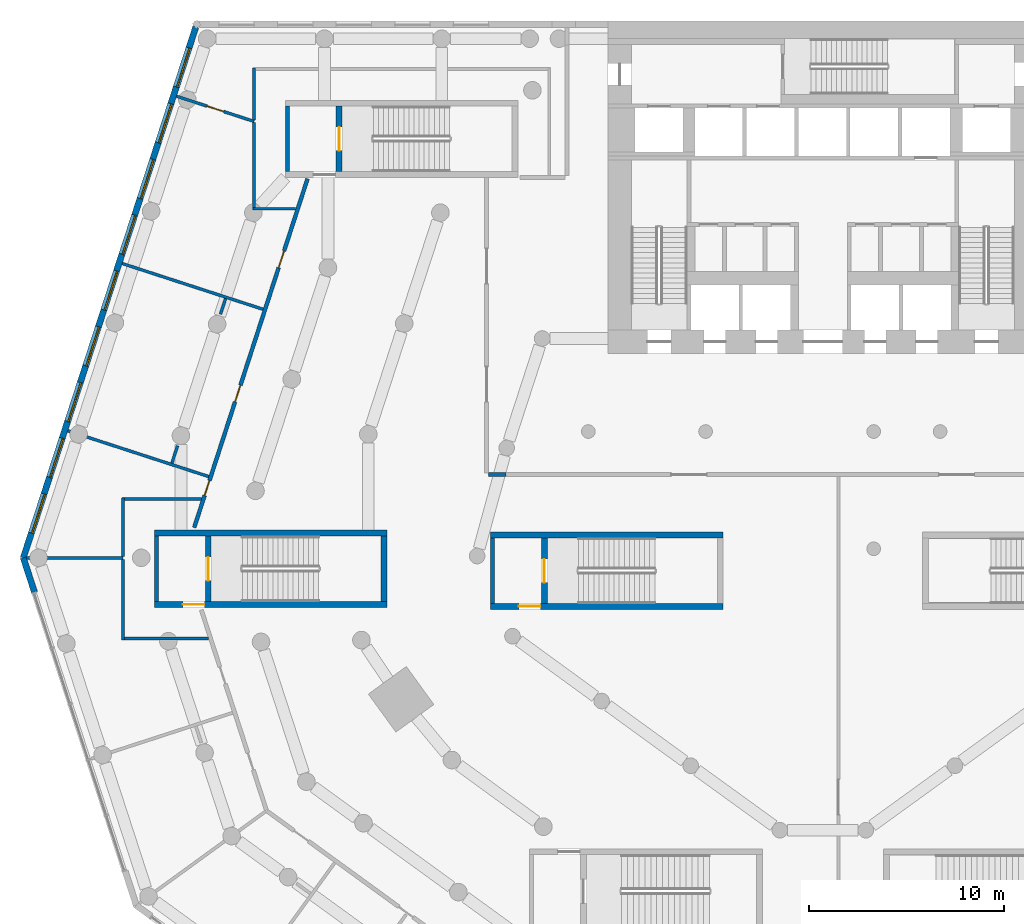
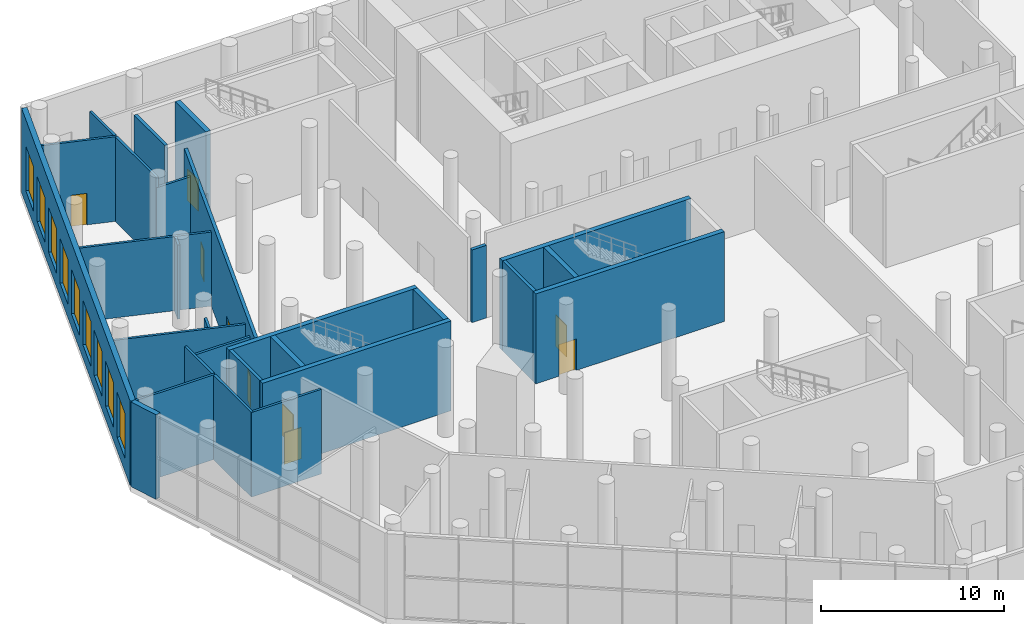
# One storey, part 14 of 23: 28 walls, 9 doors, 9 windows, 18 openings.
"""IFC4 building model written with IfcOpenShell, lengths in metres."""

import ifcopenshell
import ifcopenshell.guid

model = None  # the IFC model being written
_history = None  # IfcOwnerHistory: only IFC2X3 demands one
_inside = {}  # id of a spatial element -> (the spatial element, [elements in it])
_under = {}  # id of a project, library or spatial element -> (it, [spatial elements below it])
_declared = {}  # id of a project -> (the project, [libraries it declares])
_typed = {}  # id of a type object -> (the type object, [elements of that type])
_made_of = {}  # id of a material, layer set ... -> (it, [elements and type objects made of it])


def new_model(schema):
    """Start an empty IFC model of exactly this schema.

    Asked for "IFC4X3", IfcOpenShell would pick the latest addendum, in which some entities
    have other attributes; the version numbers below select the first issue.
    IFC2X3 requires an IfcOwnerHistory on every rooted entity: one is made here for all.
    """
    global model, _history
    if schema == "IFC4X3":
        model = ifcopenshell.file(schema_version=(4, 3, 0, 0))
    else:
        model = ifcopenshell.file(schema=schema)
    _inside.clear()
    _under.clear()
    _declared.clear()
    _typed.clear()
    _made_of.clear()
    _history = None
    if model.schema == "IFC2X3":
        org = make("IfcOrganization", Name="unknown")
        user = make(
            "IfcPersonAndOrganization",
            ThePerson=make("IfcPerson", FamilyName="unknown"),
            TheOrganization=org,
        )
        app = make(
            "IfcApplication",
            ApplicationDeveloper=org,
            Version="unknown",
            ApplicationFullName="unknown",
            ApplicationIdentifier="unknown",
        )
        _history = make(
            "IfcOwnerHistory",
            OwningUser=user,
            OwningApplication=app,
            ChangeAction="ADDED",
            CreationDate=0,
        )
    return model


def make(cls, **values):
    """One entity of the class cls with the attributes given. An attribute that is None is left unset."""
    return model.create_entity(
        cls, **{name: value for name, value in values.items() if value is not None}
    )


def rooted(cls, **values):
    """An entity with a GlobalId (a new one), such as an element, a storey or a relation."""
    return make(cls, GlobalId=ifcopenshell.guid.new(), OwnerHistory=_history, **values)


def si_unit(unit_type, name, prefix=None):
    """IfcSIUnit, for example si_unit("LENGTHUNIT", "METRE", prefix="MILLI")."""
    return make("IfcSIUnit", UnitType=unit_type, Prefix=prefix, Name=name)


def assignment(units):
    """IfcUnitAssignment: the units of a project."""
    return None if units is None else make("IfcUnitAssignment", Units=units)


def point(xyz):
    """IfcCartesianPoint."""
    return None if xyz is None else make("IfcCartesianPoint", Coordinates=xyz)


def direction(xyz):
    """IfcDirection."""
    return None if xyz is None else make("IfcDirection", DirectionRatios=xyz)


def frame(location, z_axis=None, x_axis=None):
    """IfcAxis2Placement3D, a coordinate frame: its origin and axes. An axis left out is left unset."""
    return make(
        "IfcAxis2Placement3D",
        Location=point(location),
        Axis=direction(z_axis),
        RefDirection=direction(x_axis),
    )


def frame_2d(location, x_axis=None):
    """IfcAxis2Placement2D, a coordinate frame in the plane: its origin and x axis."""
    return make(
        "IfcAxis2Placement2D", Location=point(location), RefDirection=direction(x_axis)
    )


def origin():
    """The frame at (0, 0, 0) with its axes left unset."""
    return frame((0.0, 0.0, 0.0))


def place(relative_to, where):
    """IfcLocalPlacement: puts the frame where relative to a parent placement (None: the world)."""
    return make(
        "IfcLocalPlacement", PlacementRelTo=relative_to, RelativePlacement=where
    )


def context(
    kind, dimensions, precision=None, world=None, true_north=None, identifier=None
):
    """IfcGeometricRepresentationContext, for example the 3D "Model" context."""
    return make(
        "IfcGeometricRepresentationContext",
        ContextIdentifier=identifier,
        ContextType=kind,
        CoordinateSpaceDimension=dimensions,
        Precision=precision,
        WorldCoordinateSystem=world,
        TrueNorth=true_north,
    )


def subcontext(parent, identifier, kind, view, scale=None):
    """IfcGeometricRepresentationSubContext, for example "Body" below "Model"."""
    return make(
        "IfcGeometricRepresentationSubContext",
        ContextIdentifier=identifier,
        ContextType=kind,
        ParentContext=parent,
        TargetScale=scale,
        TargetView=view,
    )


def project(units=None, contexts=None):
    """IfcProject with its units and contexts."""
    return rooted(
        "IfcProject",
        Name="project",
        RepresentationContexts=contexts,
        UnitsInContext=assignment(units),
    )


def spatial(cls, under=None, at=None, **own):
    """A site, building, storey or space (cls), placed at a placement, below another one or the project."""
    s = rooted(cls, ObjectPlacement=at, **own)
    if under is not None:
        _under.setdefault(under.id(), (under, []))[1].append(s)
    return s


def profile(cls, at=None, kind="AREA", **sizes):
    """A parametric profile (cls). Its sizes go by their IFC names, for example OverallWidth=200.0."""
    return make(cls, ProfileType=kind, Position=at, **sizes)


def rectangle(**sizes):
    """IfcRectangleProfileDef."""
    return profile("IfcRectangleProfileDef", **sizes)


def extrude(swept, where, along, depth):
    """IfcExtrudedAreaSolid: the profile swept, set in the frame where, extruded along a direction by depth."""
    return make(
        "IfcExtrudedAreaSolid",
        SweptArea=swept,
        Position=where,
        ExtrudedDirection=direction(along),
        Depth=depth,
    )


def shape(context_of_items, identifier, shape_type, items):
    """IfcShapeRepresentation: the items that make up one representation, for example the "Body"."""
    return make(
        "IfcShapeRepresentation",
        ContextOfItems=context_of_items,
        RepresentationIdentifier=identifier,
        RepresentationType=shape_type,
        Items=items,
    )


def material(Name=None, Category=None):
    """IfcMaterial."""
    return make("IfcMaterial", Name=Name, Category=Category)


def layer(
    of_material, thickness, ventilated=None, Name=None, Category=None, Priority=None
):
    """IfcMaterialLayer: one layer of a wall or slab, of a material (None: an air gap)."""
    return make(
        "IfcMaterialLayer",
        Material=of_material,
        LayerThickness=thickness,
        IsVentilated=ventilated,
        Name=Name,
        Category=Category,
        Priority=Priority,
    )


def layer_set(layers, Name=None):
    """IfcMaterialLayerSet."""
    return make("IfcMaterialLayerSet", MaterialLayers=layers, LayerSetName=Name)


def made_of(thing, what):
    """Note that an element or type object is made of a material, layer set ...; save() writes the relation."""
    if what is not None:
        _made_of.setdefault(what.id(), (what, []))[1].append(thing)
    return thing


def type_object(cls, material=None, **own):
    """A type object (cls), such as IfcWallType, which elements share."""
    return made_of(rooted(cls, **own), material)


def element(
    cls,
    number,
    at=None,
    inside=None,
    cuts=None,
    type_object=None,
    material=None,
    context=None,
    identifier="Body",
    shape_type=None,
    held_by="IfcProductDefinitionShape",
    body=None,
    shapes=None,
    **own,
):
    """One element of the class cls, such as IfcWall. Its Tag is "e" and its number.

    at: its placement. inside: the storey or other place that contains it. cuts: it is an
    opening in that element (IfcRelVoidsElement). A single representation is given by context,
    identifier, shape_type and body (its items); several are given by shapes. held_by: the class
    of the entity that holds the representations. save() writes the other relations.
    """
    e = rooted(cls, Tag="e%d" % number, ObjectPlacement=at, **own)
    if body is not None:
        shapes = [shape(context, identifier, shape_type, body)]
    if shapes is not None:
        e.Representation = make(held_by, Representations=shapes)
    if inside is not None:
        _inside.setdefault(inside.id(), (inside, []))[1].append(e)
    if cuts is not None:
        rooted(
            "IfcRelVoidsElement", RelatingBuildingElement=cuts, RelatedOpeningElement=e
        )
    if type_object is not None:
        _typed.setdefault(type_object.id(), (type_object, []))[1].append(e)
    return made_of(e, material)


def fill(opening, filler):
    """IfcRelFillsElement: the door or window that sits in an opening."""
    return rooted(
        "IfcRelFillsElement",
        RelatingOpeningElement=opening,
        RelatedBuildingElement=filler,
    )


def aggregate(whole, parts):
    """IfcRelAggregates: a whole, such as a stair, and the parts it consists of."""
    return rooted("IfcRelAggregates", RelatingObject=whole, RelatedObjects=parts)


def save(model, path):
    """Write the relations noted so far, then the file.

    IfcRelAggregates (storeys below a building ...), IfcRelContainedInSpatialStructure (elements
    in a storey), IfcRelDefinesByType, IfcRelAssociatesMaterial and IfcRelDeclares: one each for
    every whole, place, type object, material and project.
    """
    for whole, parts in _under.values():
        aggregate(whole, parts)
    for where, things in _inside.values():
        rooted(
            "IfcRelContainedInSpatialStructure",
            RelatedElements=things,
            RelatingStructure=where,
        )
    for kind, things in _typed.values():
        rooted("IfcRelDefinesByType", RelatedObjects=things, RelatingType=kind)
    for what, things in _made_of.values():
        rooted("IfcRelAssociatesMaterial", RelatedObjects=things, RelatingMaterial=what)
    for by, libraries in _declared.values():
        rooted("IfcRelDeclares", RelatingContext=by, RelatedDefinitions=libraries)
    model.write(path)


model = new_model("IFC4")

# Units and contexts
model_context = context("Model", 3, precision=1e-05, world=origin(), true_north=direction((0.0, 1.0)))
body_context = subcontext(model_context, "Body", "Model", "MODEL_VIEW")
ifc_project = project(units=[si_unit("LENGTHUNIT", "METRE"), si_unit("AREAUNIT", "SQUARE_METRE"), si_unit("VOLUMEUNIT", "CUBIC_METRE"), si_unit("PLANEANGLEUNIT", "RADIAN"), si_unit("MASSUNIT", "GRAM", prefix="KILO")], contexts=[model_context])

# Site, building, storey
site_placement = place(None, origin())
site = spatial("IfcSite", under=ifc_project, at=site_placement, CompositionType="ELEMENT")
building_placement = place(site_placement, origin())
building = spatial("IfcBuilding", under=site, at=building_placement, Name="White Candle Pilgrim Tower", CompositionType="ELEMENT")
storey_placement = place(building_placement, frame((0.0, 0.0, 9.0)))
storey = spatial("IfcBuildingStorey", under=building, at=storey_placement, Name="L01", CompositionType="ELEMENT", Elevation=9.0)

# Walls
ifc_material_1 = material(Name="Autoclaved aerated block D500, plastered")
ifc_layer_1 = layer(ifc_material_1, 0.199951171875)
ifc_layer_set_1 = layer_set([ifc_layer_1], Name="Compartment wall 200 mm REI 240")
wall_type_1 = type_object("IfcWallType", Name="Compartment wall 200 mm REI 240", PredefinedType="PARTITIONING", material=ifc_layer_set_1)
wall_1_placement = place(storey_placement, frame((53.800048828125, 64.800048828125, 0.0), z_axis=(0.0, 0.0, 1.0), x_axis=(-1.0, 0.0, 0.0)))
element("IfcWall", 1, at=wall_1_placement, inside=storey, type_object=wall_type_1, Name="WL-L01-P034b", PredefinedType="PARTITIONING", context=body_context, shape_type="SweptSolid", body=[
    extrude(rectangle(XDim=0.900146484375, YDim=0.199951171875, at=frame_2d((0.4501953125, 0.0))), origin(), (0.0, 0.0, 1.0), 4.85009765625),
])
ifc_material_2 = material(Name="Concrete C70/85", Category="concrete")
ifc_layer_2 = layer(ifc_material_2, 0.199951171875)
ifc_layer_set_2 = layer_set([ifc_layer_2], Name="Core wall 200 mm Concrete C70/85")
wall_type_2 = type_object("IfcWallType", Name="Core wall 200 mm Concrete C70/85", PredefinedType="SHEAR", material=ifc_layer_set_2)
wall_2_placement = place(storey_placement, frame((53.10009765625, 58.199951171875, 0.0), z_axis=(0.0, 0.0, 1.0), x_axis=(0.0, 1.0, 0.0)))
element("IfcWall", 2, at=wall_2_placement, inside=storey, type_object=wall_type_2, Name="WL-L01-C15", PredefinedType="SHEAR", context=body_context, shape_type="SweptSolid", body=[
    extrude(rectangle(XDim=3.35009765625, YDim=0.199951171875, at=frame_2d((1.675048828125, 0.0))), origin(), (0.0, 0.0, 1.0), 6.0),
])
for number, where, z_axis, x_axis, name in (
    (3, (35.89990234375, 58.300048828125, 0.0), (0.0, 0.0, 1.0), (0.0, 1.0, 0.0), "WL-L01-C21"),
    (4, (42.60009765625, 80.300048828125, 0.0), (0.0, 0.0, 1.0), (0.0, 1.0, 0.0), "WL-L01-C56"),
):
    element("IfcWall", number, at=place(storey_placement, frame(where, z_axis=z_axis, x_axis=x_axis)), inside=storey, type_object=wall_type_2, Name=name, PredefinedType="SHEAR", context=body_context, shape_type="SweptSolid", body=[
        extrude(rectangle(XDim=3.349853515625, YDim=0.199951171875, at=frame_2d((1.6748046875, 0.0))), origin(), (0.0, 0.0, 1.0), 6.0),
    ])

# Wall, openings, doors
ifc_material_3 = material(Name="Gypsum board on steel studs", Category="steel")
ifc_layer_3 = layer(ifc_material_3, 0.199951171875)
ifc_layer_set_3 = layer_set([ifc_layer_3], Name="Corridor wall 200 mm EI 45")
wall_type_3 = type_object("IfcWallType", Name="Corridor wall 200 mm EI 45", PredefinedType="PARTITIONING", material=ifc_layer_set_3)
wall_3_placement = place(storey_placement, frame((37.83251953125, 62.080810546875, 0.0), z_axis=(0.0, 0.0, 1.0), x_axis=(0.309014892187, 0.951057199335, 0.0)))
wall_3 = element("IfcWall", 5, at=wall_3_placement, inside=storey, type_object=wall_type_3, Name="WL-L01-P002", PredefinedType="PARTITIONING", context=body_context, shape_type="SweptSolid", body=[
    extrude(rectangle(XDim=18.768798828125, YDim=0.199951171875, at=frame_2d((9.38427734375, 0.0))), origin(), (0.0, 0.0, 1.0), 5.64990234375),
])
opening_1_placement = place(wall_3_placement, frame((13.98779296875, 0.0, 0.0)))
opening_1 = element("IfcOpeningElement", 6, at=opening_1_placement, cuts=wall_3, Name="Opening L01-101", PredefinedType="OPENING", context=body_context, shape_type="SweptSolid", body=[
    extrude(rectangle(XDim=0.89990234375, YDim=2.10009765625, at=frame_2d((0.449951171875, 1.050048828125))), frame((0.0, 0.10986328125, 0.0), z_axis=(0.0, -1.0, 0.0), x_axis=(1.0, 0.0, 0.0)), (0.0, 0.0, 1.0), 0.219970703125),
])
opening_2_placement = place(wall_3_placement, frame((6.7666015625, 0.0, 0.0)))
opening_2 = element("IfcOpeningElement", 7, at=opening_2_placement, cuts=wall_3, Name="Opening L01-102", PredefinedType="OPENING", context=body_context, shape_type="SweptSolid", body=[
    extrude(rectangle(XDim=0.89990234375, YDim=2.10009765625, at=frame_2d((0.449951171875, 1.050048828125))), frame((0.0, 0.10986328125, 0.0), z_axis=(0.0, -1.0, 0.0), x_axis=(1.0, 0.0, 0.0)), (0.0, 0.0, 1.0), 0.219970703125),
])
opening_3_placement = place(wall_3_placement, frame((1.730712890625, 0.0, 0.0)))
opening_3 = element("IfcOpeningElement", 8, at=opening_3_placement, cuts=wall_3, Name="Opening L01-103", PredefinedType="OPENING", context=body_context, shape_type="SweptSolid", body=[
    extrude(rectangle(XDim=0.800048828125, YDim=2.10009765625, at=frame_2d((0.39990234375, 1.050048828125))), frame((0.0, 0.10986328125, 0.0), z_axis=(0.0, -1.0, 0.0), x_axis=(1.0, 0.0, 0.0)), (0.0, 0.0, 1.0), 0.219970703125),
])
ifc_material_4 = material(Name="Steel door leaf", Category="steel")
door_type_1 = type_object("IfcDoorType", Name="Fire door 800 x 2100 EI 30", OperationType="NOTDEFINED", PredefinedType="DOOR", material=ifc_material_4)
door_1_placement = place(opening_3_placement, origin())
door_1 = element("IfcDoor", 9, at=door_1_placement, inside=storey, type_object=door_type_1, Name="Door L01-103", OperationType="SINGLE_SWING_LEFT", OverallHeight=2.10009765625, OverallWidth=0.800048828125, PredefinedType="DOOR", context=body_context, shape_type="SweptSolid", body=[
    extrude(rectangle(XDim=0.800048828125, YDim=2.10009765625, at=frame_2d((0.39990234375, 1.050048828125))), frame((0.0, 0.02490234375, 0.0), z_axis=(0.0, -1.0, 0.0), x_axis=(1.0, 0.0, 0.0)), (0.0, 0.0, 1.0), 0.050048828125),
])
fill(opening_3, door_1)
door_type_2 = type_object("IfcDoorType", Name="Fire door 900 x 2100 EI 30", OperationType="NOTDEFINED", PredefinedType="DOOR", material=ifc_material_4)
door_2_placement = place(opening_1_placement, origin())
door_2 = element("IfcDoor", 10, at=door_2_placement, inside=storey, type_object=door_type_2, Name="Door L01-101", OperationType="SINGLE_SWING_LEFT", OverallHeight=2.10009765625, OverallWidth=0.89990234375, PredefinedType="DOOR", context=body_context, shape_type="SweptSolid", body=[
    extrude(rectangle(XDim=0.89990234375, YDim=2.10009765625, at=frame_2d((0.449951171875, 1.050048828125))), frame((0.0, 0.02490234375, 0.0), z_axis=(0.0, -1.0, 0.0), x_axis=(1.0, 0.0, 0.0)), (0.0, 0.0, 1.0), 0.050048828125),
])
fill(opening_1, door_2)
door_3_placement = place(opening_2_placement, origin())
door_3 = element("IfcDoor", 11, at=door_3_placement, inside=storey, type_object=door_type_2, Name="Door L01-102", OperationType="SINGLE_SWING_RIGHT", OverallHeight=2.10009765625, OverallWidth=0.89990234375, PredefinedType="DOOR", context=body_context, shape_type="SweptSolid", body=[
    extrude(rectangle(XDim=0.89990234375, YDim=2.10009765625, at=frame_2d((0.449951171875, 1.050048828125))), frame((0.0, 0.02490234375, 0.0), z_axis=(0.0, -1.0, 0.0), x_axis=(1.0, 0.0, 0.0)), (0.0, 0.0, 1.0), 0.050048828125),
])
fill(opening_2, door_3)

# Wall
ifc_material_5 = material(Name="Precast concrete C40/50", Category="concrete")
ifc_layer_4 = layer(ifc_material_5, 0.320068359375)
ifc_layer_set_4 = layer_set([ifc_layer_4], Name="Facade wall EW3 precast concrete C40/50 and stone-faced podium wall")
wall_type_4 = type_object("IfcWallType", Name="Facade wall EW3 precast concrete C40/50 and stone-faced podium wall", PredefinedType="SOLIDWALL", material=ifc_layer_set_4)
wall_4_placement = place(storey_placement, frame((29.088134765625, 60.5390625, 0.0), z_axis=(0.0, 0.0, 1.0), x_axis=(0.309056246022, -0.951043761766, 0.0)))
element("IfcWall", 12, at=wall_4_placement, inside=storey, type_object=wall_type_4, Name="Facade wall L01 W chamfer", PredefinedType="SOLIDWALL", context=body_context, shape_type="SweptSolid", body=[
    extrude(rectangle(XDim=1.850830078125, YDim=0.320068359375, at=frame_2d((0.92529296875, 0.0))), origin(), (0.0, 0.0, 1.0), 5.64990234375),
])

# Wall, openings, windows
wall_5_placement = place(storey_placement, frame((37.912353515625, 87.697265625, 0.0), z_axis=(0.0, 0.0, 1.0), x_axis=(-0.309016476183, -0.951056684666, 0.0)))
wall_5 = element("IfcWall", 13, at=wall_5_placement, inside=storey, type_object=wall_type_4, Name="Facade wall L01 WNW", PredefinedType="SOLIDWALL", context=body_context, shape_type="SweptSolid", body=[
    extrude(rectangle(XDim=28.555908203125, YDim=0.320068359375, at=frame_2d((14.27783203125, 0.0))), origin(), (0.0, 0.0, 1.0), 5.64990234375),
])
opening_4_placement = place(wall_5_placement, frame((1.120849609375, 0.0, 0.89990234375)))
opening_4 = element("IfcOpeningElement", 14, at=opening_4_placement, cuts=wall_5, Name="Opening W7", PredefinedType="OPENING", context=body_context, shape_type="SweptSolid", body=[
    extrude(rectangle(XDim=2.10009765625, YDim=3.0, at=frame_2d((1.050048828125, 1.5))), frame((0.0, 0.169921875, 0.0), z_axis=(0.0, -1.0, 0.0), x_axis=(1.0, 0.0, 0.0)), (0.0, 0.0, 1.0), 0.340087890625),
])
opening_5_placement = place(wall_5_placement, frame((4.120849609375, 0.0, 0.89990234375)))
opening_5 = element("IfcOpeningElement", 15, at=opening_5_placement, cuts=wall_5, Name="Opening W7", PredefinedType="OPENING", context=body_context, shape_type="SweptSolid", body=[
    extrude(rectangle(XDim=2.10009765625, YDim=3.0, at=frame_2d((1.050048828125, 1.5))), frame((0.0, 0.169921875, 0.0), z_axis=(0.0, -1.0, 0.0), x_axis=(1.0, 0.0, 0.0)), (0.0, 0.0, 1.0), 0.340087890625),
])
opening_6_placement = place(wall_5_placement, frame((7.120849609375, 0.0, 0.89990234375)))
opening_6 = element("IfcOpeningElement", 16, at=opening_6_placement, cuts=wall_5, Name="Opening W7", PredefinedType="OPENING", context=body_context, shape_type="SweptSolid", body=[
    extrude(rectangle(XDim=2.10009765625, YDim=3.0, at=frame_2d((1.050048828125, 1.5))), frame((0.0, 0.169921875, 0.0), z_axis=(0.0, -1.0, 0.0), x_axis=(1.0, 0.0, 0.0)), (0.0, 0.0, 1.0), 0.340087890625),
])
opening_7_placement = place(wall_5_placement, frame((10.120849609375, 0.0, 0.89990234375)))
opening_7 = element("IfcOpeningElement", 17, at=opening_7_placement, cuts=wall_5, Name="Opening W7", PredefinedType="OPENING", context=body_context, shape_type="SweptSolid", body=[
    extrude(rectangle(XDim=2.10009765625, YDim=3.0, at=frame_2d((1.050048828125, 1.5))), frame((0.0, 0.169921875, 0.0), z_axis=(0.0, -1.0, 0.0), x_axis=(1.0, 0.0, 0.0)), (0.0, 0.0, 1.0), 0.340087890625),
])
opening_8_placement = place(wall_5_placement, frame((13.120849609375, 0.0, 0.89990234375)))
opening_8 = element("IfcOpeningElement", 18, at=opening_8_placement, cuts=wall_5, Name="Opening W7", PredefinedType="OPENING", context=body_context, shape_type="SweptSolid", body=[
    extrude(rectangle(XDim=2.10009765625, YDim=3.0, at=frame_2d((1.050048828125, 1.5))), frame((0.0, 0.169921875, 0.0), z_axis=(0.0, -1.0, 0.0), x_axis=(1.0, 0.0, 0.0)), (0.0, 0.0, 1.0), 0.340087890625),
])
opening_9_placement = place(wall_5_placement, frame((16.120849609375, 0.0, 0.89990234375)))
opening_9 = element("IfcOpeningElement", 19, at=opening_9_placement, cuts=wall_5, Name="Opening W7", PredefinedType="OPENING", context=body_context, shape_type="SweptSolid", body=[
    extrude(rectangle(XDim=2.10009765625, YDim=3.0, at=frame_2d((1.050048828125, 1.5))), frame((0.0, 0.169921875, 0.0), z_axis=(0.0, -1.0, 0.0), x_axis=(1.0, 0.0, 0.0)), (0.0, 0.0, 1.0), 0.340087890625),
])
opening_10_placement = place(wall_5_placement, frame((19.120849609375, 0.0, 0.89990234375)))
opening_10 = element("IfcOpeningElement", 20, at=opening_10_placement, cuts=wall_5, Name="Opening W7", PredefinedType="OPENING", context=body_context, shape_type="SweptSolid", body=[
    extrude(rectangle(XDim=2.10009765625, YDim=3.0, at=frame_2d((1.050048828125, 1.5))), frame((0.0, 0.169921875, 0.0), z_axis=(0.0, -1.0, 0.0), x_axis=(1.0, 0.0, 0.0)), (0.0, 0.0, 1.0), 0.340087890625),
])
opening_11_placement = place(wall_5_placement, frame((22.120849609375, 0.0, 0.89990234375)))
opening_11 = element("IfcOpeningElement", 21, at=opening_11_placement, cuts=wall_5, Name="Opening W7", PredefinedType="OPENING", context=body_context, shape_type="SweptSolid", body=[
    extrude(rectangle(XDim=2.10009765625, YDim=3.0, at=frame_2d((1.050048828125, 1.5))), frame((0.0, 0.169921875, 0.0), z_axis=(0.0, -1.0, 0.0), x_axis=(1.0, 0.0, 0.0)), (0.0, 0.0, 1.0), 0.340087890625),
])
opening_12_placement = place(wall_5_placement, frame((25.120849609375, 0.0, 0.89990234375)))
opening_12 = element("IfcOpeningElement", 22, at=opening_12_placement, cuts=wall_5, Name="Opening W7", PredefinedType="OPENING", context=body_context, shape_type="SweptSolid", body=[
    extrude(rectangle(XDim=2.10009765625, YDim=3.0, at=frame_2d((1.050048828125, 1.5))), frame((0.0, 0.169921875, 0.0), z_axis=(0.0, -1.0, 0.0), x_axis=(1.0, 0.0, 0.0)), (0.0, 0.0, 1.0), 0.340087890625),
])
ifc_material_6 = material(Name="Timber frame with triple glazing", Category="wood")
window_type = type_object("IfcWindowType", Name="Window W7 2100x3000 timber frame triple glazing", PartitioningType="SINGLE_PANEL", PredefinedType="WINDOW", material=ifc_material_6)
window_1_placement = place(opening_4_placement, origin())
window_1 = element("IfcWindow", 23, at=window_1_placement, inside=storey, type_object=window_type, Name="Window W7 L01 WNW 1", OverallHeight=3.0, OverallWidth=2.10009765625, PartitioningType="SINGLE_PANEL", PredefinedType="WINDOW", context=body_context, shape_type="SweptSolid", body=[
    extrude(rectangle(XDim=2.10009765625, YDim=3.0, at=frame_2d((1.050048828125, 1.5))), frame((0.0, 0.070068359375, 0.0), z_axis=(0.0, -1.0, 0.0), x_axis=(1.0, 0.0, 0.0)), (0.0, 0.0, 1.0), 0.06005859375),
])
fill(opening_4, window_1)
window_2_placement = place(opening_5_placement, origin())
window_2 = element("IfcWindow", 24, at=window_2_placement, inside=storey, type_object=window_type, Name="Window W7 L01 WNW 2", OverallHeight=3.0, OverallWidth=2.10009765625, PartitioningType="SINGLE_PANEL", PredefinedType="WINDOW", context=body_context, shape_type="SweptSolid", body=[
    extrude(rectangle(XDim=2.10009765625, YDim=3.0, at=frame_2d((1.050048828125, 1.5))), frame((0.0, 0.070068359375, 0.0), z_axis=(0.0, -1.0, 0.0), x_axis=(1.0, 0.0, 0.0)), (0.0, 0.0, 1.0), 0.06005859375),
])
fill(opening_5, window_2)
window_3_placement = place(opening_6_placement, origin())
window_3 = element("IfcWindow", 25, at=window_3_placement, inside=storey, type_object=window_type, Name="Window W7 L01 WNW 3", OverallHeight=3.0, OverallWidth=2.10009765625, PartitioningType="SINGLE_PANEL", PredefinedType="WINDOW", context=body_context, shape_type="SweptSolid", body=[
    extrude(rectangle(XDim=2.10009765625, YDim=3.0, at=frame_2d((1.050048828125, 1.5))), frame((0.0, 0.070068359375, 0.0), z_axis=(0.0, -1.0, 0.0), x_axis=(1.0, 0.0, 0.0)), (0.0, 0.0, 1.0), 0.06005859375),
])
fill(opening_6, window_3)
window_4_placement = place(opening_7_placement, origin())
window_4 = element("IfcWindow", 26, at=window_4_placement, inside=storey, type_object=window_type, Name="Window W7 L01 WNW 4", OverallHeight=3.0, OverallWidth=2.10009765625, PartitioningType="SINGLE_PANEL", PredefinedType="WINDOW", context=body_context, shape_type="SweptSolid", body=[
    extrude(rectangle(XDim=2.10009765625, YDim=3.0, at=frame_2d((1.050048828125, 1.5))), frame((0.0, 0.070068359375, 0.0), z_axis=(0.0, -1.0, 0.0), x_axis=(1.0, 0.0, 0.0)), (0.0, 0.0, 1.0), 0.06005859375),
])
fill(opening_7, window_4)
window_5_placement = place(opening_8_placement, origin())
window_5 = element("IfcWindow", 27, at=window_5_placement, inside=storey, type_object=window_type, Name="Window W7 L01 WNW 5", OverallHeight=3.0, OverallWidth=2.10009765625, PartitioningType="SINGLE_PANEL", PredefinedType="WINDOW", context=body_context, shape_type="SweptSolid", body=[
    extrude(rectangle(XDim=2.10009765625, YDim=3.0, at=frame_2d((1.050048828125, 1.5))), frame((0.0, 0.070068359375, 0.0), z_axis=(0.0, -1.0, 0.0), x_axis=(1.0, 0.0, 0.0)), (0.0, 0.0, 1.0), 0.06005859375),
])
fill(opening_8, window_5)
window_6_placement = place(opening_9_placement, origin())
window_6 = element("IfcWindow", 28, at=window_6_placement, inside=storey, type_object=window_type, Name="Window W7 L01 WNW 6", OverallHeight=3.0, OverallWidth=2.10009765625, PartitioningType="SINGLE_PANEL", PredefinedType="WINDOW", context=body_context, shape_type="SweptSolid", body=[
    extrude(rectangle(XDim=2.10009765625, YDim=3.0, at=frame_2d((1.050048828125, 1.5))), frame((0.0, 0.070068359375, 0.0), z_axis=(0.0, -1.0, 0.0), x_axis=(1.0, 0.0, 0.0)), (0.0, 0.0, 1.0), 0.06005859375),
])
fill(opening_9, window_6)
window_7_placement = place(opening_10_placement, origin())
window_7 = element("IfcWindow", 29, at=window_7_placement, inside=storey, type_object=window_type, Name="Window W7 L01 WNW 7", OverallHeight=3.0, OverallWidth=2.10009765625, PartitioningType="SINGLE_PANEL", PredefinedType="WINDOW", context=body_context, shape_type="SweptSolid", body=[
    extrude(rectangle(XDim=2.10009765625, YDim=3.0, at=frame_2d((1.050048828125, 1.5))), frame((0.0, 0.070068359375, 0.0), z_axis=(0.0, -1.0, 0.0), x_axis=(1.0, 0.0, 0.0)), (0.0, 0.0, 1.0), 0.06005859375),
])
fill(opening_10, window_7)
window_8_placement = place(opening_11_placement, origin())
window_8 = element("IfcWindow", 30, at=window_8_placement, inside=storey, type_object=window_type, Name="Window W7 L01 WNW 8", OverallHeight=3.0, OverallWidth=2.10009765625, PartitioningType="SINGLE_PANEL", PredefinedType="WINDOW", context=body_context, shape_type="SweptSolid", body=[
    extrude(rectangle(XDim=2.10009765625, YDim=3.0, at=frame_2d((1.050048828125, 1.5))), frame((0.0, 0.070068359375, 0.0), z_axis=(0.0, -1.0, 0.0), x_axis=(1.0, 0.0, 0.0)), (0.0, 0.0, 1.0), 0.06005859375),
])
fill(opening_11, window_8)
window_9_placement = place(opening_12_placement, origin())
window_9 = element("IfcWindow", 31, at=window_9_placement, inside=storey, type_object=window_type, Name="Window W7 L01 WNW 9", OverallHeight=3.0, OverallWidth=2.10009765625, PartitioningType="SINGLE_PANEL", PredefinedType="WINDOW", context=body_context, shape_type="SweptSolid", body=[
    extrude(rectangle(XDim=2.10009765625, YDim=3.0, at=frame_2d((1.050048828125, 1.5))), frame((0.0, 0.070068359375, 0.0), z_axis=(0.0, -1.0, 0.0), x_axis=(1.0, 0.0, 0.0)), (0.0, 0.0, 1.0), 0.06005859375),
])
fill(opening_12, window_9)

# Wall
ifc_layer_5 = layer(ifc_material_3, 0.14990234375)
ifc_layer_set_5 = layer_set([ifc_layer_5], Name="Partition 150 mm EI 60")
wall_type_5 = type_object("IfcWallType", Name="Partition 150 mm EI 60", PredefinedType="PARTITIONING", material=ifc_layer_set_5)
wall_6_placement = place(storey_placement, frame((29.25634765625, 60.539306640625, 0.0), z_axis=(0.0, 0.0, 1.0), x_axis=(1.0, 0.0, 0.0)))
element("IfcWall", 32, at=wall_6_placement, inside=storey, type_object=wall_type_5, Name="WL-L01-P012", PredefinedType="PARTITIONING", context=body_context, shape_type="SweptSolid", body=[
    extrude(rectangle(XDim=4.943603515625, YDim=0.14990234375, at=frame_2d((2.4716796875, 0.0))), origin(), (0.0, 0.0, 1.0), 5.64990234375),
])

# Wall, opening, door
wall_7_placement = place(storey_placement, frame((36.93017578125, 84.15673828125, 0.0), z_axis=(0.0, 0.0, 1.0), x_axis=(0.951059855583, -0.309006716915, 0.0)))
wall_7 = element("IfcWall", 33, at=wall_7_placement, inside=storey, type_object=wall_type_5, Name="WL-L01-P018", PredefinedType="PARTITIONING", context=body_context, shape_type="SweptSolid", body=[
    extrude(rectangle(XDim=4.174072265625, YDim=0.14990234375, at=frame_2d((2.0869140625, 0.0))), origin(), (0.0, 0.0, 1.0), 5.64990234375),
])
opening_13_placement = place(wall_7_placement, frame((1.636962890625, 0.0, 0.0)))
opening_13 = element("IfcOpeningElement", 34, at=opening_13_placement, cuts=wall_7, Name="Opening L01-128", PredefinedType="OPENING", context=body_context, shape_type="SweptSolid", body=[
    extrude(rectangle(XDim=0.89990234375, YDim=2.10009765625, at=frame_2d((0.449951171875, 1.050048828125))), frame((0.0, 0.0849609375, 0.0), z_axis=(0.0, -1.0, 0.0), x_axis=(1.0, 0.0, 0.0)), (0.0, 0.0, 1.0), 0.169921875),
])
door_4_placement = place(opening_13_placement, origin())
door_4 = element("IfcDoor", 35, at=door_4_placement, inside=storey, type_object=door_type_2, Name="Door L01-128", OperationType="SINGLE_SWING_RIGHT", OverallHeight=2.10009765625, OverallWidth=0.89990234375, PredefinedType="DOOR", context=body_context, shape_type="SweptSolid", body=[
    extrude(rectangle(XDim=0.89990234375, YDim=2.10009765625, at=frame_2d((0.449951171875, 1.050048828125))), frame((0.0, 0.02490234375, 0.0), z_axis=(0.0, -1.0, 0.0), x_axis=(1.0, 0.0, 0.0)), (0.0, 0.0, 1.0), 0.050048828125),
])
fill(opening_13, door_4)

# Walls
for number, where, z_axis, x_axis, name in (
    (36, (34.149169921875, 75.597412109375, 0.0), (0.0, 0.0, 1.0), (0.951049215908, -0.309039461753, 0.0), "WL-L01-P019"),
    (37, (31.367919921875, 67.037841796875, 0.0), (0.0, 0.0, 1.0), (0.951049215908, -0.309039461753, 0.0), "WL-L01-P020"),
):
    element("IfcWall", number, at=place(storey_placement, frame(where, z_axis=z_axis, x_axis=x_axis)), inside=storey, type_object=wall_type_5, Name=name, PredefinedType="PARTITIONING", context=body_context, shape_type="SweptSolid", body=[
        extrude(rectangle(XDim=7.580078125, YDim=0.14990234375, at=frame_2d((3.7900390625, 0.0))), origin(), (0.0, 0.0, 1.0), 4.949951171875),
    ])
wall_8_placement = place(storey_placement, frame((39.17919921875, 73.005126953125, 0.0), z_axis=(0.0, 0.0, 1.0), x_axis=(0.309033234433, 0.951051239427, 0.0)))
element("IfcWall", 38, at=wall_8_placement, inside=storey, type_object=wall_type_5, Name="WL-L01-P051", PredefinedType="PARTITIONING", context=body_context, shape_type="SweptSolid", body=[
    extrude(rectangle(XDim=0.8359375, YDim=0.14990234375, at=frame_2d((0.41796875, 0.0))), origin(), (0.0, 0.0, 1.0), 4.949951171875),
])
wall_9_placement = place(storey_placement, frame((36.98193359375, 66.27490234375, 0.0), z_axis=(0.0, 0.0, 1.0), x_axis=(-0.309162892006, -0.951009098908, 0.0)))
element("IfcWall", 39, at=wall_9_placement, inside=storey, type_object=wall_type_5, Name="WL-L01-P052", PredefinedType="PARTITIONING", context=body_context, shape_type="SweptSolid", body=[
    extrude(rectangle(XDim=0.93408203125, YDim=0.14990234375, at=frame_2d((0.467041015625, 0.0))), origin(), (0.0, 0.0, 1.0), 4.949951171875),
])
wall_10_placement = place(storey_placement, frame((34.199951171875, 60.464111328125, 0.0), z_axis=(0.0, 0.0, 1.0), x_axis=(0.0, -1.0, 0.0)))
element("IfcWall", 40, at=wall_10_placement, inside=storey, type_object=wall_type_5, Name="WL-L01-P053", PredefinedType="PARTITIONING", context=body_context, shape_type="SweptSolid", body=[
    extrude(rectangle(XDim=4.1240234375, YDim=0.14990234375, at=frame_2d((2.06201171875, 0.0))), origin(), (0.0, 0.0, 1.0), 5.64990234375),
])
wall_11_placement = place(storey_placement, frame((34.139892578125, 56.39990234375, 0.0), z_axis=(0.0, 0.0, 1.0), x_axis=(1.0, 0.0, 0.0)))
element("IfcWall", 41, at=wall_11_placement, inside=storey, type_object=wall_type_5, Name="WL-L01-P054", PredefinedType="PARTITIONING", context=body_context, shape_type="SweptSolid", body=[
    extrude(rectangle(XDim=4.428466796875, YDim=0.14990234375, at=frame_2d((2.21435546875, 0.0))), origin(), (0.0, 0.0, 1.0), 5.64990234375),
])
wall_12_placement = place(storey_placement, frame((38.20166015625, 63.550048828125, 0.0), z_axis=(0.0, 0.0, 1.0), x_axis=(-1.0, 0.0, 0.0)))
element("IfcWall", 42, at=wall_12_placement, inside=storey, type_object=wall_type_5, Name="WL-L01-P055", PredefinedType="PARTITIONING", context=body_context, shape_type="SweptSolid", body=[
    extrude(rectangle(XDim=4.061767578125, YDim=0.14990234375, at=frame_2d((2.03076171875, 0.0))), origin(), (0.0, 0.0, 1.0), 4.949951171875),
])
wall_13_placement = place(storey_placement, frame((34.199951171875, 63.610107421875, 0.0), z_axis=(0.0, 0.0, 1.0), x_axis=(0.0, -1.0, 0.0)))
element("IfcWall", 43, at=wall_13_placement, inside=storey, type_object=wall_type_5, Name="WL-L01-P056", PredefinedType="PARTITIONING", context=body_context, shape_type="SweptSolid", body=[
    extrude(rectangle(XDim=2.995849609375, YDim=0.14990234375, at=frame_2d((1.498046875, 0.0))), origin(), (0.0, 0.0, 1.0), 5.64990234375),
])
wall_14_placement = place(storey_placement, frame((40.89990234375, 82.80029296875, 0.0), z_axis=(0.0, 0.0, 1.0), x_axis=(0.0, -1.0, 0.0)))
element("IfcWall", 44, at=wall_14_placement, inside=storey, type_object=wall_type_5, Name="WL-L01-P057", PredefinedType="PARTITIONING", context=body_context, shape_type="SweptSolid", body=[
    extrude(rectangle(XDim=4.460205078125, YDim=0.14990234375, at=frame_2d((2.22998046875, 0.0))), origin(), (0.0, 0.0, 1.0), 5.64990234375),
])
wall_15_placement = place(storey_placement, frame((40.840087890625, 78.39990234375, 0.0), z_axis=(0.0, 0.0, 1.0), x_axis=(1.0, 0.0, 0.0)))
element("IfcWall", 45, at=wall_15_placement, inside=storey, type_object=wall_type_5, Name="WL-L01-P058", PredefinedType="PARTITIONING", context=body_context, shape_type="SweptSolid", body=[
    extrude(rectangle(XDim=2.1865234375, YDim=0.14990234375, at=frame_2d((1.09326171875, 0.0))), origin(), (0.0, 0.0, 1.0), 4.949951171875),
])
wall_16_placement = place(storey_placement, frame((40.89990234375, 85.610107421875, 0.0), z_axis=(0.0, 0.0, 1.0), x_axis=(0.0, -1.0, 0.0)))
element("IfcWall", 46, at=wall_16_placement, inside=storey, type_object=wall_type_5, Name="WL-L01-P061", PredefinedType="PARTITIONING", context=body_context, shape_type="SweptSolid", body=[
    extrude(rectangle(XDim=2.6611328125, YDim=0.14990234375, at=frame_2d((1.33056640625, 0.0))), origin(), (0.0, 0.0, 1.0), 5.64990234375),
])

# Wall, opening, door
ifc_layer_6 = layer(ifc_material_2, 0.300048828125)
ifc_layer_set_6 = layer_set([ifc_layer_6], Name="Stair shaft wall 300 mm Concrete C70/85")
wall_type_6 = type_object("IfcWallType", Name="Stair shaft wall 300 mm Concrete C70/85", PredefinedType="SHEAR", material=ifc_layer_set_6)
wall_17_placement = place(storey_placement, frame((53.0, 58.050048828125, 0.0), z_axis=(0.0, 0.0, 1.0), x_axis=(1.0, 0.0, 0.0)))
wall_17 = element("IfcWall", 47, at=wall_17_placement, inside=storey, type_object=wall_type_6, Name="WL-L01-C11", PredefinedType="SHEAR", context=body_context, shape_type="SweptSolid", body=[
    extrude(rectangle(XDim=11.89990234375, YDim=0.300048828125, at=frame_2d((5.949951171875, 0.0))), origin(), (0.0, 0.0, 1.0), 6.0),
])
opening_14_placement = place(wall_17_placement, frame((1.449951171875, 0.0, 0.0)))
opening_14 = element("IfcOpeningElement", 48, at=opening_14_placement, cuts=wall_17, Name="Opening L01-007", PredefinedType="OPENING", context=body_context, shape_type="SweptSolid", body=[
    extrude(rectangle(XDim=1.10009765625, YDim=2.10009765625, at=frame_2d((0.550048828125, 1.050048828125))), frame((0.0, 0.159912109375, 0.0), z_axis=(0.0, -1.0, 0.0), x_axis=(1.0, 0.0, 0.0)), (0.0, 0.0, 1.0), 0.320068359375),
])
door_type_3 = type_object("IfcDoorType", Name="Fire door 1100 x 2100 EI 60", OperationType="NOTDEFINED", PredefinedType="DOOR", material=ifc_material_4)
door_5_placement = place(opening_14_placement, origin())
door_5 = element("IfcDoor", 49, at=door_5_placement, inside=storey, type_object=door_type_3, Name="Door L01-007", OperationType="SINGLE_SWING_LEFT", OverallHeight=2.10009765625, OverallWidth=1.10009765625, PredefinedType="DOOR", context=body_context, shape_type="SweptSolid", body=[
    extrude(rectangle(XDim=1.10009765625, YDim=2.10009765625, at=frame_2d((0.550048828125, 1.050048828125))), frame((0.0, 0.02490234375, 0.0), z_axis=(0.0, -1.0, 0.0), x_axis=(1.0, 0.0, 0.0)), (0.0, 0.0, 1.0), 0.050048828125),
])
fill(opening_14, door_5)

wall_18_placement = place(storey_placement, frame((35.800048828125, 58.14990234375, 0.0), z_axis=(0.0, 0.0, 1.0), x_axis=(1.0, 0.0, 0.0)))
wall_18 = element("IfcWall", 50, at=wall_18_placement, inside=storey, type_object=wall_type_6, Name="WL-L01-C13", PredefinedType="SHEAR", context=body_context, shape_type="SweptSolid", body=[
    extrude(rectangle(XDim=11.89990234375, YDim=0.300048828125, at=frame_2d((5.949951171875, 0.0))), origin(), (0.0, 0.0, 1.0), 6.0),
])
opening_15_placement = place(wall_18_placement, frame((1.449951171875, 0.0, 0.0)))
opening_15 = element("IfcOpeningElement", 51, at=opening_15_placement, cuts=wall_18, Name="Opening L01-015", PredefinedType="OPENING", context=body_context, shape_type="SweptSolid", body=[
    extrude(rectangle(XDim=1.10009765625, YDim=2.10009765625, at=frame_2d((0.550048828125, 1.050048828125))), frame((0.0, 0.159912109375, 0.0), z_axis=(0.0, -1.0, 0.0), x_axis=(1.0, 0.0, 0.0)), (0.0, 0.0, 1.0), 0.320068359375),
])
door_6_placement = place(opening_15_placement, origin())
door_6 = element("IfcDoor", 52, at=door_6_placement, inside=storey, type_object=door_type_3, Name="Door L01-015", OperationType="SINGLE_SWING_LEFT", OverallHeight=2.10009765625, OverallWidth=1.10009765625, PredefinedType="DOOR", context=body_context, shape_type="SweptSolid", body=[
    extrude(rectangle(XDim=1.10009765625, YDim=2.10009765625, at=frame_2d((0.550048828125, 1.050048828125))), frame((0.0, 0.02490234375, 0.0), z_axis=(0.0, -1.0, 0.0), x_axis=(1.0, 0.0, 0.0)), (0.0, 0.0, 1.0), 0.050048828125),
])
fill(opening_15, door_6)

wall_19_placement = place(storey_placement, frame((55.75, 58.199951171875, 0.0), z_axis=(0.0, 0.0, 1.0), x_axis=(0.0, 1.0, 0.0)))
wall_19 = element("IfcWall", 53, at=wall_19_placement, inside=storey, type_object=wall_type_6, Name="WL-L01-C16", PredefinedType="SHEAR", context=body_context, shape_type="SweptSolid", body=[
    extrude(rectangle(XDim=3.35009765625, YDim=0.300048828125, at=frame_2d((1.675048828125, 0.0))), origin(), (0.0, 0.0, 1.0), 6.0),
])
opening_16_placement = place(wall_19_placement, frame((1.074951171875, 0.0, 0.0)))
opening_16 = element("IfcOpeningElement", 54, at=opening_16_placement, cuts=wall_19, Name="Opening L01-008", PredefinedType="OPENING", context=body_context, shape_type="SweptSolid", body=[
    extrude(rectangle(XDim=1.199951171875, YDim=2.10009765625, at=frame_2d((0.60009765625, 1.050048828125))), frame((0.0, 0.159912109375, 0.0), z_axis=(0.0, -1.0, 0.0), x_axis=(1.0, 0.0, 0.0)), (0.0, 0.0, 1.0), 0.320068359375),
])
door_type_4 = type_object("IfcDoorType", Name="Fire door 1200 x 2100 EI 60", OperationType="NOTDEFINED", PredefinedType="DOOR", material=ifc_material_4)
door_7_placement = place(opening_16_placement, frame((1.199951171875, 0.0, 0.0), z_axis=(0.0, 0.0, 1.0), x_axis=(-1.0, 0.0, 0.0)))
door_7 = element("IfcDoor", 55, at=door_7_placement, inside=storey, type_object=door_type_4, Name="Door L01-008", OperationType="SINGLE_SWING_LEFT", OverallHeight=2.10009765625, OverallWidth=1.199951171875, PredefinedType="DOOR", context=body_context, shape_type="SweptSolid", body=[
    extrude(rectangle(XDim=1.199951171875, YDim=2.10009765625, at=frame_2d((0.60009765625, 1.050048828125))), frame((0.0, 0.02490234375, 0.0), z_axis=(0.0, -1.0, 0.0), x_axis=(1.0, 0.0, 0.0)), (0.0, 0.0, 1.0), 0.050048828125),
])
fill(opening_16, door_7)

wall_20_placement = place(storey_placement, frame((38.550048828125, 58.300048828125, 0.0), z_axis=(0.0, 0.0, 1.0), x_axis=(0.0, 1.0, 0.0)))
wall_20 = element("IfcWall", 56, at=wall_20_placement, inside=storey, type_object=wall_type_6, Name="WL-L01-C22", PredefinedType="SHEAR", context=body_context, shape_type="SweptSolid", body=[
    extrude(rectangle(XDim=3.349853515625, YDim=0.300048828125, at=frame_2d((1.6748046875, 0.0))), origin(), (0.0, 0.0, 1.0), 6.0),
])
opening_17_placement = place(wall_20_placement, frame((1.074951171875, 0.0, 0.0)))
opening_17 = element("IfcOpeningElement", 57, at=opening_17_placement, cuts=wall_20, Name="Opening L01-016", PredefinedType="OPENING", context=body_context, shape_type="SweptSolid", body=[
    extrude(rectangle(XDim=1.199951171875, YDim=2.10009765625, at=frame_2d((0.60009765625, 1.050048828125))), frame((0.0, 0.159912109375, 0.0), z_axis=(0.0, -1.0, 0.0), x_axis=(1.0, 0.0, 0.0)), (0.0, 0.0, 1.0), 0.320068359375),
])
door_8_placement = place(opening_17_placement, frame((1.199951171875, 0.0, 0.0), z_axis=(0.0, 0.0, 1.0), x_axis=(-1.0, 0.0, 0.0)))
door_8 = element("IfcDoor", 58, at=door_8_placement, inside=storey, type_object=door_type_4, Name="Door L01-016", OperationType="SINGLE_SWING_LEFT", OverallHeight=2.10009765625, OverallWidth=1.199951171875, PredefinedType="DOOR", context=body_context, shape_type="SweptSolid", body=[
    extrude(rectangle(XDim=1.199951171875, YDim=2.10009765625, at=frame_2d((0.60009765625, 1.050048828125))), frame((0.0, 0.02490234375, 0.0), z_axis=(0.0, -1.0, 0.0), x_axis=(1.0, 0.0, 0.0)), (0.0, 0.0, 1.0), 0.050048828125),
])
fill(opening_17, door_8)

# Walls
wall_21_placement = place(storey_placement, frame((47.550048828125, 58.300048828125, 0.0), z_axis=(0.0, 0.0, 1.0), x_axis=(0.0, 1.0, 0.0)))
element("IfcWall", 59, at=wall_21_placement, inside=storey, type_object=wall_type_6, Name="WL-L01-C23", PredefinedType="SHEAR", context=body_context, shape_type="SweptSolid", body=[
    extrude(rectangle(XDim=3.349853515625, YDim=0.300048828125, at=frame_2d((1.6748046875, 0.0))), origin(), (0.0, 0.0, 1.0), 6.0),
])
for number, where, z_axis, x_axis, name in (
    (60, (53.0, 61.699951171875, 0.0), (0.0, 0.0, 1.0), (1.0, 0.0, 0.0), "WL-L01-C27"),
    (61, (35.800048828125, 61.800048828125, 0.0), (0.0, 0.0, 1.0), (1.0, 0.0, 0.0), "WL-L01-C29"),
):
    element("IfcWall", number, at=place(storey_placement, frame(where, z_axis=z_axis, x_axis=x_axis)), inside=storey, type_object=wall_type_6, Name=name, PredefinedType="SHEAR", context=body_context, shape_type="SweptSolid", body=[
        extrude(rectangle(XDim=11.89990234375, YDim=0.300048828125, at=frame_2d((5.949951171875, 0.0))), origin(), (0.0, 0.0, 1.0), 6.0),
    ])

# Wall, opening, door
wall_22_placement = place(storey_placement, frame((45.25, 80.300048828125, 0.0), z_axis=(0.0, 0.0, 1.0), x_axis=(0.0, 1.0, 0.0)))
wall_22 = element("IfcWall", 62, at=wall_22_placement, inside=storey, type_object=wall_type_6, Name="WL-L01-C57", PredefinedType="SHEAR", context=body_context, shape_type="SweptSolid", body=[
    extrude(rectangle(XDim=3.349853515625, YDim=0.300048828125, at=frame_2d((1.6748046875, 0.0))), origin(), (0.0, 0.0, 1.0), 6.0),
])
opening_18_placement = place(wall_22_placement, frame((1.074951171875, 0.0, 0.0)))
opening_18 = element("IfcOpeningElement", 63, at=opening_18_placement, cuts=wall_22, Name="Opening L01-020", PredefinedType="OPENING", context=body_context, shape_type="SweptSolid", body=[
    extrude(rectangle(XDim=1.199951171875, YDim=2.10009765625, at=frame_2d((0.60009765625, 1.050048828125))), frame((0.0, 0.159912109375, 0.0), z_axis=(0.0, -1.0, 0.0), x_axis=(1.0, 0.0, 0.0)), (0.0, 0.0, 1.0), 0.320068359375),
])
door_9_placement = place(opening_18_placement, frame((1.199951171875, 0.0, 0.0), z_axis=(0.0, 0.0, 1.0), x_axis=(-1.0, 0.0, 0.0)))
door_9 = element("IfcDoor", 64, at=door_9_placement, inside=storey, type_object=door_type_4, Name="Door L01-020", OperationType="SINGLE_SWING_LEFT", OverallHeight=2.10009765625, OverallWidth=1.199951171875, PredefinedType="DOOR", context=body_context, shape_type="SweptSolid", body=[
    extrude(rectangle(XDim=1.199951171875, YDim=2.10009765625, at=frame_2d((0.60009765625, 1.050048828125))), frame((0.0, 0.02490234375, 0.0), z_axis=(0.0, -1.0, 0.0), x_axis=(1.0, 0.0, 0.0)), (0.0, 0.0, 1.0), 0.050048828125),
])
fill(opening_18, door_9)

save(model, "model.ifc")
